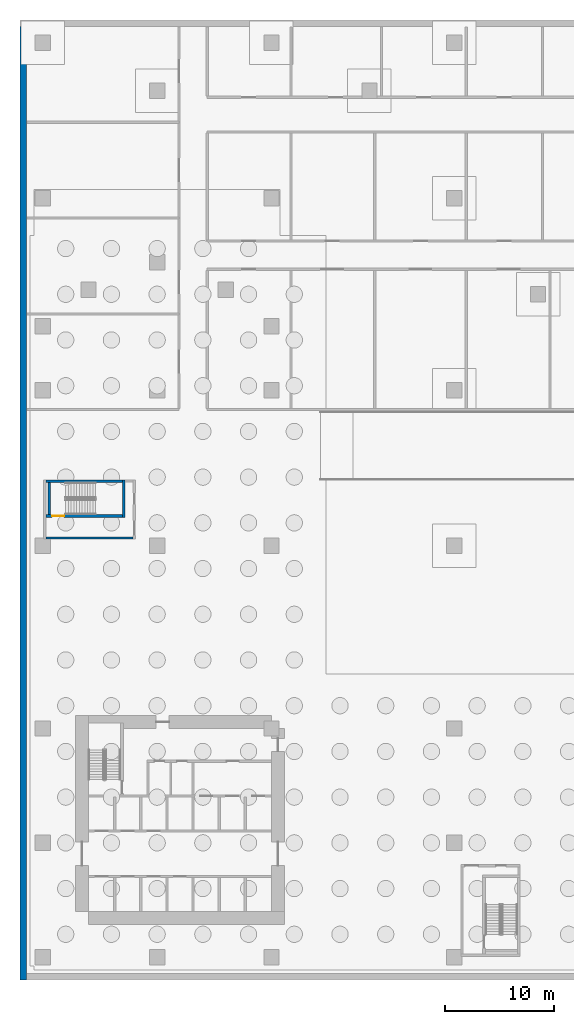
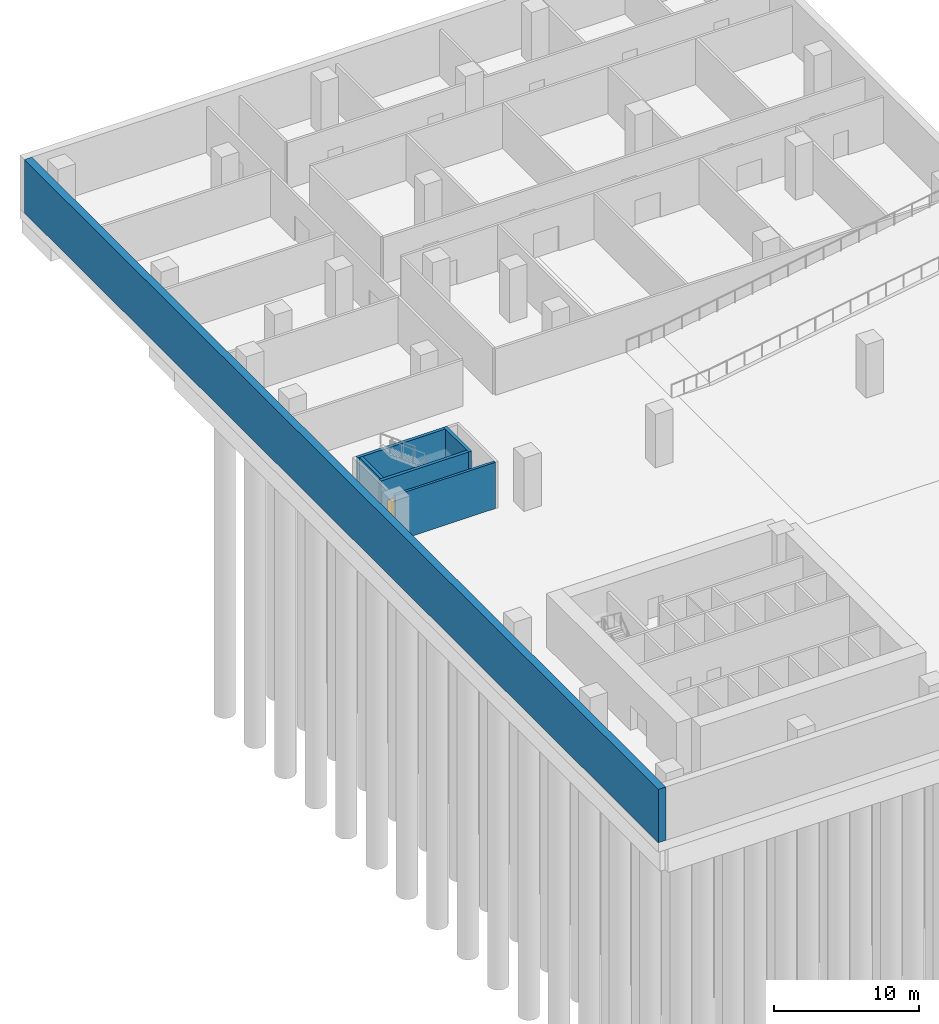
# One storey, part 6 of 13: 6 walls, 1 door, 1 opening.
"""IFC4 building model written with IfcOpenShell, lengths in metres."""

from ifc_helpers import new_model, si_unit, direction, frame, frame_2d, origin, place, context, subcontext, project, spatial, rectangle, extrude, source, transform, mapped, material, layer, layer_set, type_object, element, fill, save


model = new_model("IFC4")

# Units and contexts
model_context = context("Model", 3, precision=1e-05, world=origin(), true_north=direction((0.0, 1.0)))
body_context = subcontext(model_context, "Body", "Model", "MODEL_VIEW")
ifc_project = project(units=[si_unit("LENGTHUNIT", "METRE"), si_unit("AREAUNIT", "SQUARE_METRE"), si_unit("VOLUMEUNIT", "CUBIC_METRE"), si_unit("PLANEANGLEUNIT", "RADIAN"), si_unit("MASSUNIT", "GRAM", prefix="KILO")], contexts=[model_context])

# Site, building, storey
site_placement = place(None, origin())
site = spatial("IfcSite", under=ifc_project, at=site_placement, CompositionType="ELEMENT")
building_placement = place(site_placement, origin())
building = spatial("IfcBuilding", under=site, at=building_placement, Name="Aurelian Terraces", CompositionType="ELEMENT")
storey_placement = place(building_placement, frame((0.0, 0.0, -13.5)))
storey = spatial("IfcBuildingStorey", under=building, at=storey_placement, Name="B3", CompositionType="ELEMENT", Elevation=-13.5)

# Wall
ifc_material_1 = material(Name="Concrete fc' 40 MPa", Category="concrete")
ifc_layer_1 = layer(ifc_material_1, 0.6)
ifc_layer_set_1 = layer_set([ifc_layer_1], Name="BASEMENT WALL 600 FC40")
wall_type_1 = type_object("IfcWallType", Name="BASEMENT WALL 600 FC40", PredefinedType="SOLIDWALL", material=ifc_layer_set_1)
wall_1_placement = place(storey_placement, frame((-1.8, 85.5, 0.0), z_axis=(0.0, 0.0, 1.0), x_axis=(0.0, -1.0, 0.0)))
element("IfcWall", 1, at=wall_1_placement, inside=storey, type_object=wall_type_1, Name="Basement wall 3 B3", PredefinedType="SOLIDWALL", context=body_context, shape_type="SweptSolid", body=[
    extrude(rectangle(XDim=87.6, YDim=0.6, at=frame_2d((43.8, 0.0))), origin(), (0.0, 0.0, 1.0), 4.5),
])

# Wall, opening, door
ifc_layer_2 = layer(ifc_material_1, 0.25)
ifc_layer_set_2 = layer_set([ifc_layer_2], Name="Stair enclosure wall 250")
wall_type_2 = type_object("IfcWallType", Name="Stair enclosure wall 250", PredefinedType="SOLIDWALL", material=ifc_layer_set_2)
shared_shape_1 = source(origin(), body_context, "Body", "SweptSolid", [
    extrude(rectangle(XDim=7.0, YDim=0.25, at=frame_2d((3.5, 0.0))), origin(), (0.0, 0.0, 1.0), 3.9),
])
wall_2_placement = place(storey_placement, frame((0.3, 40.525, 0.0), z_axis=(0.0, 0.0, 1.0), x_axis=(1.0, 0.0, 0.0)))
wall_2 = element("IfcWall", 2, at=wall_2_placement, inside=storey, type_object=wall_type_2, Name="B3 core wall ST-S3-W", PredefinedType="SOLIDWALL", context=body_context, shape_type="MappedRepresentation", body=[
    mapped(shared_shape_1, transform((0.0, 0.0, 0.0), scale=1.0)),
])
shared_shape_2 = source(origin(), body_context, "Body", "SweptSolid", [
    extrude(rectangle(XDim=1.1, YDim=2.1, at=frame_2d((0.55, 1.05))), frame((0.0, 0.135, 0.0), z_axis=(0.0, -1.0, 0.0), x_axis=(1.0, 0.0, 0.0)), (0.0, 0.0, 1.0), 0.27),
])
opening_placement = place(wall_2_placement, frame((0.55, 0.0, 0.0)))
opening = element("IfcOpeningElement", 3, at=opening_placement, cuts=wall_2, Name="Opening 60017", PredefinedType="OPENING", context=body_context, shape_type="MappedRepresentation", body=[
    mapped(shared_shape_2, transform((0.0, 0.0, 0.0), scale=1.0)),
])
ifc_material_2 = material(Name="Steel door leaf", Category="steel")
door_type = type_object("IfcDoorType", Name="Core fire door 1100x2100 right", OperationType="SINGLE_SWING_RIGHT", PredefinedType="DOOR", material=ifc_material_2)
shared_shape_3 = source(origin(), body_context, "Body", "SweptSolid", [
    extrude(rectangle(XDim=1.1, YDim=2.1, at=frame_2d((0.55, 1.05))), frame((0.0, 0.025, 0.0), z_axis=(0.0, -1.0, 0.0), x_axis=(1.0, 0.0, 0.0)), (0.0, 0.0, 1.0), 0.05),
])
door_placement = place(opening_placement, origin())
door = element("IfcDoor", 4, at=door_placement, inside=storey, type_object=door_type, Name="Stair door 60017", OperationType="SINGLE_SWING_RIGHT", OverallHeight=2.1, OverallWidth=1.1, PredefinedType="DOOR", context=body_context, shape_type="MappedRepresentation", body=[
    mapped(shared_shape_3, transform((0.0, 0.0, 0.0), scale=1.0)),
])
fill(opening, door)

# Walls
wall_3_placement = place(storey_placement, frame((0.3, 43.725, 0.0), z_axis=(0.0, 0.0, 1.0), x_axis=(1.0, 0.0, 0.0)))
element("IfcWall", 5, at=wall_3_placement, inside=storey, type_object=wall_type_2, Name="B3 core wall ST-S3-E", PredefinedType="SOLIDWALL", context=body_context, shape_type="MappedRepresentation", body=[
    mapped(shared_shape_1, transform((0.0, 0.0, 0.0), scale=1.0)),
])
shared_shape_4 = source(origin(), body_context, "Body", "SweptSolid", [
    extrude(rectangle(XDim=3.45, YDim=0.25, at=frame_2d((1.725, 0.0))), origin(), (0.0, 0.0, 1.0), 3.9),
])
wall_4_placement = place(storey_placement, frame((7.425, 40.4, 0.0), z_axis=(0.0, 0.0, 1.0), x_axis=(0.0, 1.0, 0.0)))
element("IfcWall", 6, at=wall_4_placement, inside=storey, type_object=wall_type_2, Name="B3 core wall ST-S3-N", PredefinedType="SOLIDWALL", context=body_context, shape_type="MappedRepresentation", body=[
    mapped(shared_shape_4, transform((0.0, 0.0, 0.0), scale=1.0)),
])
shared_shape_5 = source(origin(), body_context, "Body", "SweptSolid", [
    extrude(rectangle(XDim=2.95, YDim=0.25, at=frame_2d((1.475, 0.0))), origin(), (0.0, 0.0, 1.0), 3.9),
])
wall_5_placement = place(storey_placement, frame((0.575, 40.65, 0.0), z_axis=(0.0, 0.0, 1.0), x_axis=(0.0, 1.0, 0.0)))
element("IfcWall", 7, at=wall_5_placement, inside=storey, type_object=wall_type_2, Name="B3 core wall ST-S3-SS", PredefinedType="SOLIDWALL", context=body_context, shape_type="MappedRepresentation", body=[
    mapped(shared_shape_5, transform((0.0, 0.0, 0.0), scale=1.0)),
])
ifc_material_3 = material(Name="Gypsum board on steel studs", Category="steel")
ifc_layer_3 = layer(ifc_material_3, 0.2)
ifc_layer_set_3 = layer_set([ifc_layer_3], Name="Core partition 200")
wall_type_3 = type_object("IfcWallType", Name="Core partition 200", PredefinedType="PARTITIONING", material=ifc_layer_set_3)
shared_shape_6 = source(origin(), body_context, "Body", "SweptSolid", [
    extrude(rectangle(XDim=8.0, YDim=0.2, at=frame_2d((4.0, 0.0))), origin(), (0.0, 0.0, 1.0), 3.9),
])
wall_6_placement = place(storey_placement, frame((0.3, 38.5, 0.0), z_axis=(0.0, 0.0, 1.0), x_axis=(1.0, 0.0, 0.0)))
element("IfcWall", 8, at=wall_6_placement, inside=storey, type_object=wall_type_3, Name="B3 core wall ST-S3-VW", PredefinedType="PARTITIONING", context=body_context, shape_type="MappedRepresentation", body=[
    mapped(shared_shape_6, transform((0.0, 0.0, 0.0), scale=1.0)),
])

save(model, "model.ifc")
